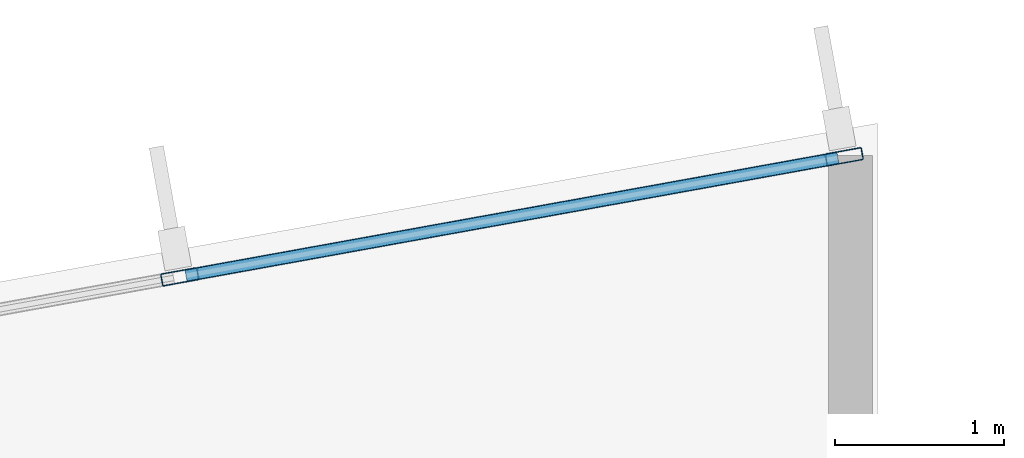
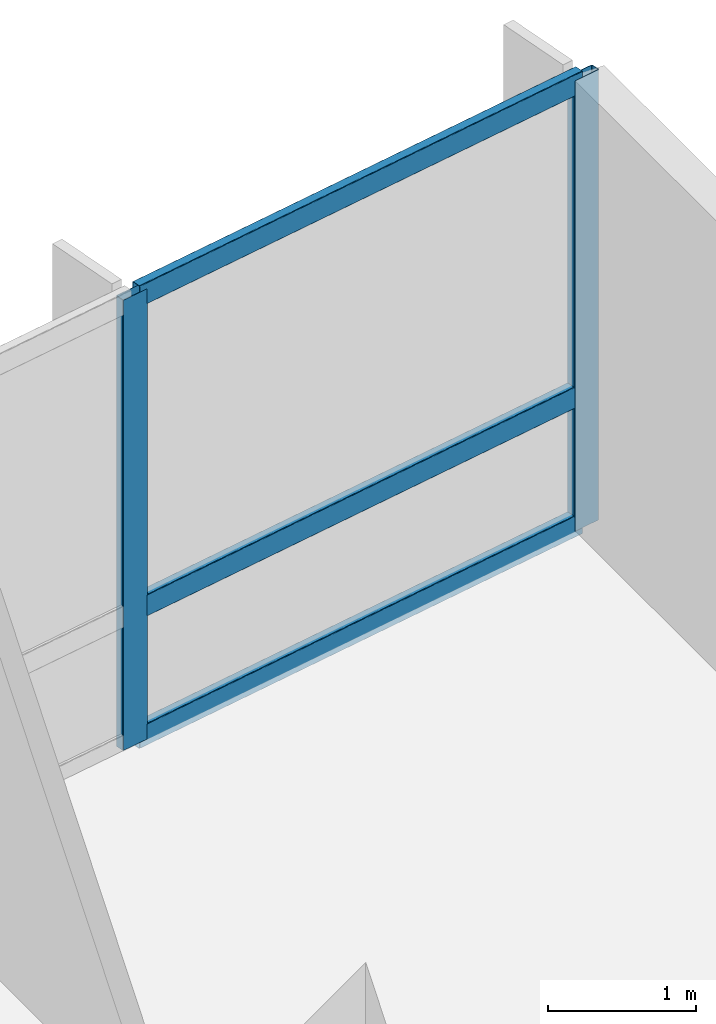
# One storey, part 8 of 18: 5 members, 1 element without a shape of its own.
"""IFC4 building model written with IfcOpenShell, lengths in metres."""

from ifc_helpers import new_model, si_unit, direction, frame, origin, origin_2d, place, context, subcontext, project, spatial, hollow_rectangle, extrude, material, layer, layer_set, material_profile, profile_set, type_object, element, aggregate, save


model = new_model("IFC4")

# Units and contexts
model_context = context("Model", 3, precision=1e-05, world=origin(), true_north=direction((0.0, 1.0)))
body_context = subcontext(model_context, "Body", "Model", "MODEL_VIEW")
ifc_project = project(units=[si_unit("LENGTHUNIT", "METRE"), si_unit("AREAUNIT", "SQUARE_METRE"), si_unit("VOLUMEUNIT", "CUBIC_METRE"), si_unit("PLANEANGLEUNIT", "RADIAN"), si_unit("MASSUNIT", "GRAM", prefix="KILO")], contexts=[model_context])

# Site, building, storey
site_placement = place(None, origin())
site = spatial("IfcSite", under=ifc_project, at=site_placement, CompositionType="ELEMENT")
building_placement = place(site_placement, origin())
building = spatial("IfcBuilding", under=site, at=building_placement, Name="Varnakote Quay Hospital", CompositionType="ELEMENT")
storey_placement = place(building_placement, frame((0.0, 0.0, 30.39990234375)))
storey = spatial("IfcBuildingStorey", under=building, at=storey_placement, Name="L07", CompositionType="ELEMENT", Elevation=30.39990234375)

# Curtain wall, members
ifc_material_1 = material(Name="Anodised aluminium 6063-T6 Bronze", Category="aluminium")
ifc_layer = layer(ifc_material_1, 0.18994140625)
ifc_layer_set = layer_set([ifc_layer], Name="Anodised aluminium 6063-T6 Bronze")
curtain_wall_type = type_object("IfcCurtainWallType", Name="CW-SYS-2", PredefinedType="NOTDEFINED", material=ifc_layer_set)
curtain_wall_placement = place(storey_placement, origin())
curtain_wall = element("IfcCurtainWall", 1, at=curtain_wall_placement, inside=storey, type_object=curtain_wall_type, Name="L07 Unitised Bronze Curtain Wall 1", PredefinedType="NOTDEFINED")
ifc_material_2 = material(Name="Anodised aluminium 6063-T6 Bronze", Category="aluminium")
ifc_material_profile_1 = material_profile(ifc_material_2, hollow_rectangle(XDim=0.074951171875, YDim=0.219970703125, WallThickness=0.00439453125, InnerFilletRadius=0.00439453125, OuterFilletRadius=0.009033203125, at=origin_2d()), Name="CW-MULL-220x75")
ifc_profile_set_1 = profile_set([ifc_material_profile_1], Name="Anodised aluminium 6063-T6 Bronze")
member_type_1 = type_object("IfcMemberType", Name="CW-MULL-220x75", PredefinedType="MULLION", material=ifc_profile_set_1)
member_1_placement = place(storey_placement, frame((55.403076171875, 34.201904296875, 0.0), z_axis=(0.0, 0.0, 1.0), x_axis=(0.177846199098, -0.984058295766, 0.0)))
member_1 = element("IfcMember", 2, at=member_1_placement, type_object=member_type_1, Name="-2-L07-1 mullion 1", PredefinedType="MULLION", context=body_context, shape_type="SweptSolid", body=[
    extrude(hollow_rectangle(XDim=0.074951171875, YDim=0.219970703125, WallThickness=0.00439453125, InnerFilletRadius=0.00439453125, OuterFilletRadius=0.009033203125, at=origin_2d()), origin(), (0.0, 0.0, 1.0), 3.710205078125),
])
member_2_placement = place(storey_placement, frame((51.477294921875, 33.492431640625, 0.0), z_axis=(0.0, 0.0, 1.0), x_axis=(0.177846199098, -0.984058295766, 0.0)))
member_2 = element("IfcMember", 3, at=member_2_placement, type_object=member_type_1, Name="-2-L07-1 mullion 2", PredefinedType="MULLION", context=body_context, shape_type="SweptSolid", body=[
    extrude(hollow_rectangle(XDim=0.074951171875, YDim=0.219970703125, WallThickness=0.00439453125, InnerFilletRadius=0.00439453125, OuterFilletRadius=0.009033203125, at=origin_2d()), origin(), (0.0, 0.0, 1.0), 3.710205078125),
])
ifc_material_3 = material(Name="Anodised aluminium 6063-T6 Bronze", Category="aluminium")
ifc_material_profile_2 = material_profile(ifc_material_3, hollow_rectangle(XDim=0.074951171875, YDim=0.179931640625, WallThickness=0.004150390625, InnerFilletRadius=0.004150390625, OuterFilletRadius=0.00830078125, at=origin_2d()), Name="CW-TRAN-180x75")
ifc_profile_set_2 = profile_set([ifc_material_profile_2], Name="Anodised aluminium 6063-T6 Bronze")
member_type_2 = type_object("IfcMemberType", Name="CW-TRAN-180x75", PredefinedType="USERDEFINED", material=ifc_profile_set_2)
member_3_placement = place(storey_placement, frame((55.3662109375, 34.195068359375, 0.03759765625), z_axis=(-0.984061948229, -0.177825988109, 0.0), x_axis=(0.177825988109, -0.984061948229, 0.0)))
member_3 = element("IfcMember", 4, at=member_3_placement, type_object=member_type_2, Name="-2-L07-1 transom 1.1", ObjectType="TRANSOM", PredefinedType="USERDEFINED", context=body_context, shape_type="SweptSolid", body=[
    extrude(hollow_rectangle(XDim=0.074951171875, YDim=0.179931640625, WallThickness=0.004150390625, InnerFilletRadius=0.004150390625, OuterFilletRadius=0.00830078125, at=origin_2d()), origin(), (0.0, 0.0, 1.0), 3.914306640625),
])
member_4_placement = place(storey_placement, frame((55.3662109375, 34.195068359375, 1.10009765625), z_axis=(-0.984061948229, -0.177825988109, 0.0), x_axis=(0.177825988109, -0.984061948229, 0.0)))
member_4 = element("IfcMember", 5, at=member_4_placement, type_object=member_type_2, Name="-2-L07-1 transom 1.2", ObjectType="TRANSOM", PredefinedType="USERDEFINED", context=body_context, shape_type="SweptSolid", body=[
    extrude(hollow_rectangle(XDim=0.074951171875, YDim=0.179931640625, WallThickness=0.004150390625, InnerFilletRadius=0.004150390625, OuterFilletRadius=0.00830078125, at=origin_2d()), origin(), (0.0, 0.0, 1.0), 3.914306640625),
])
member_5_placement = place(storey_placement, frame((55.3662109375, 34.195068359375, 3.672607421875), z_axis=(-0.984061948229, -0.177825988109, 0.0), x_axis=(0.177825988109, -0.984061948229, 0.0)))
member_5 = element("IfcMember", 6, at=member_5_placement, type_object=member_type_2, Name="-2-L07-1 transom 1.3", ObjectType="TRANSOM", PredefinedType="USERDEFINED", context=body_context, shape_type="SweptSolid", body=[
    extrude(hollow_rectangle(XDim=0.074951171875, YDim=0.179931640625, WallThickness=0.004150390625, InnerFilletRadius=0.004150390625, OuterFilletRadius=0.00830078125, at=origin_2d()), origin(), (0.0, 0.0, 1.0), 3.914306640625),
])
aggregate(curtain_wall, [member_1, member_2, member_3, member_4, member_5])

save(model, "model.ifc")
